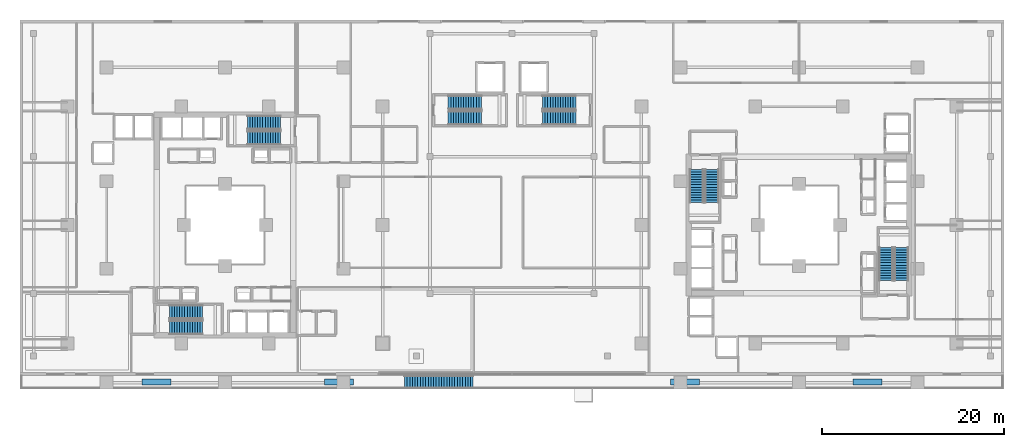
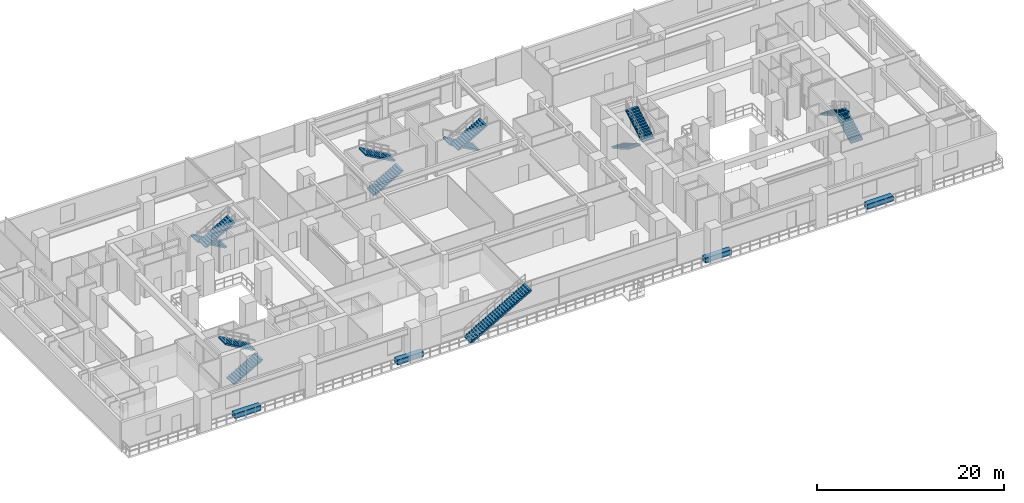
# One storey, part 18 of 22: 13 stair flights, 4 discrete accessories, 7 elements without a shape of their own.
"""IFC4 building model written with IfcOpenShell, lengths in metres."""

from ifc_helpers import new_model, si_unit, direction, frame, origin, origin_2d, place, context, subcontext, project, spatial, polyline, rectangle, outline, extrude, material, type_object, element, aggregate, save


model = new_model("IFC4")

# Units and contexts
model_context = context("Model", 3, precision=1e-05, world=origin(), true_north=direction((0.0, 1.0)))
body_context = subcontext(model_context, "Body", "Model", "MODEL_VIEW")
ifc_project = project(units=[si_unit("LENGTHUNIT", "METRE"), si_unit("AREAUNIT", "SQUARE_METRE"), si_unit("VOLUMEUNIT", "CUBIC_METRE"), si_unit("PLANEANGLEUNIT", "RADIAN"), si_unit("MASSUNIT", "GRAM", prefix="KILO")], contexts=[model_context])

# Site, building, storey
site_placement = place(None, origin())
site = spatial("IfcSite", under=ifc_project, at=site_placement, CompositionType="ELEMENT")
building_placement = place(site_placement, origin())
building = spatial("IfcBuilding", under=site, at=building_placement, Name="Thornwick Lancets Civic Towers", CompositionType="ELEMENT")
storey_placement = place(building_placement, frame((0.0, 0.0, 18.60009765625)))
storey = spatial("IfcBuildingStorey", under=building, at=storey_placement, Name="L04", CompositionType="ELEMENT", Elevation=18.60009765625)

# Stair, stair flights
ifc_material_1 = material(Name="Concrete C40/50", Category="concrete")
stair_type_1 = type_object("IfcStairType", Name="STAIR_DL_4500", PredefinedType="HALF_TURN_STAIR", material=ifc_material_1)
stair_1_placement = place(storey_placement, origin())
stair_1 = element("IfcStair", 1, at=stair_1_placement, inside=storey, type_object=stair_type_1, Name="L04 Tower A South Exit Stair ST-A1", PredefinedType="HALF_TURN_STAIR")
stair_flight_type_1 = type_object("IfcStairFlightType", Name="FLIGHT_4500", PredefinedType="STRAIGHT", material=ifc_material_1)
stair_flight_1_placement = place(storey_placement, frame((19.39990234375, 15.75, 0.0), z_axis=(0.0, 0.0, 1.0), x_axis=(1.0, 0.0, 0.0)))
stair_flight_1 = element("IfcStairFlight", 2, at=stair_flight_1_placement, type_object=stair_flight_type_1, Name="ST-A1 flight 1", NumberOfRisers=14, NumberOfTreads=13, PredefinedType="STRAIGHT", RiserHeight=0.160714286, TreadLength=0.28, context=body_context, shape_type="SweptSolid", body=[
    extrude(outline(polyline([(0.0, 0.0), (0.0, 0.16064453125), (0.280029296875, 0.16064453125), (0.280029296875, 0.321533203125), (0.56005859375, 0.321533203125), (0.56005859375, 0.482177734375), (0.840087890625, 0.482177734375), (0.840087890625, 0.642822265625), (1.1201171875, 0.642822265625), (1.1201171875, 0.803466796875), (1.39990234375, 0.803466796875), (1.39990234375, 0.96435546875), (1.679931640625, 0.96435546875), (1.679931640625, 1.125), (1.9599609375, 1.125), (1.9599609375, 1.28564453125), (2.239990234375, 1.28564453125), (2.239990234375, 1.446533203125), (2.52001953125, 1.446533203125), (2.52001953125, 1.607177734375), (2.800048828125, 1.607177734375), (2.800048828125, 1.767822265625), (3.080078125, 1.767822265625), (3.080078125, 1.928466796875), (3.360107421875, 1.928466796875), (3.360107421875, 2.08935546875), (3.639892578125, 2.08935546875), (3.639892578125, 2.25), (3.639892578125, 1.91650390625), (0.301025390625, 0.0), (0.0, 0.0)])), frame((0.0, 0.75, 0.0), z_axis=(0.0, -1.0, 0.0), x_axis=(1.0, 0.0, 0.0)), (0.0, 0.0, 1.0), 1.5),
])
stair_flight_2_placement = place(storey_placement, frame((23.0400390625, 17.449951171875, 2.25), z_axis=(0.0, 0.0, 1.0), x_axis=(-1.0, 0.0, 0.0)))
stair_flight_2 = element("IfcStairFlight", 3, at=stair_flight_2_placement, type_object=stair_flight_type_1, Name="ST-A1 flight 2", NumberOfRisers=14, NumberOfTreads=13, PredefinedType="STRAIGHT", RiserHeight=0.160714286, TreadLength=0.28, context=body_context, shape_type="SweptSolid", body=[
    extrude(outline(polyline([(0.0, 0.0), (0.0, 0.16064453125), (0.280029296875, 0.16064453125), (0.280029296875, 0.321533203125), (0.56005859375, 0.321533203125), (0.56005859375, 0.482177734375), (0.840087890625, 0.482177734375), (0.840087890625, 0.642822265625), (1.1201171875, 0.642822265625), (1.1201171875, 0.803466796875), (1.39990234375, 0.803466796875), (1.39990234375, 0.96435546875), (1.679931640625, 0.96435546875), (1.679931640625, 1.125), (1.9599609375, 1.125), (1.9599609375, 1.28564453125), (2.239990234375, 1.28564453125), (2.239990234375, 1.446533203125), (2.52001953125, 1.446533203125), (2.52001953125, 1.607177734375), (2.800048828125, 1.607177734375), (2.800048828125, 1.767822265625), (3.080078125, 1.767822265625), (3.080078125, 1.928466796875), (3.360107421875, 1.928466796875), (3.360107421875, 2.08935546875), (3.639892578125, 2.08935546875), (3.639892578125, 2.25), (3.639892578125, 1.91650390625), (0.301025390625, 0.0), (0.0, 0.0)])), frame((0.0, 0.75, 0.0), z_axis=(0.0, -1.0, 0.0), x_axis=(1.0, 0.0, 0.0)), (0.0, 0.0, 1.0), 1.5),
])
aggregate(stair_1, [stair_flight_1, stair_flight_2])

stair_2_placement = place(storey_placement, origin())
stair_2 = element("IfcStair", 4, at=stair_2_placement, inside=storey, type_object=stair_type_1, Name="L04 Tower A North Exit Stair ST-A2", PredefinedType="HALF_TURN_STAIR")
stair_flight_3_placement = place(storey_placement, frame((31.60009765625, 38.25, 0.0), z_axis=(0.0, 0.0, 1.0), x_axis=(-1.0, 0.0, 0.0)))
stair_flight_3 = element("IfcStairFlight", 5, at=stair_flight_3_placement, type_object=stair_flight_type_1, Name="ST-A2 flight 1", NumberOfRisers=14, NumberOfTreads=13, PredefinedType="STRAIGHT", RiserHeight=0.160714286, TreadLength=0.28, context=body_context, shape_type="SweptSolid", body=[
    extrude(outline(polyline([(0.0, 0.0), (0.0, 0.16064453125), (0.280029296875, 0.16064453125), (0.280029296875, 0.321533203125), (0.56005859375, 0.321533203125), (0.56005859375, 0.482177734375), (0.840087890625, 0.482177734375), (0.840087890625, 0.642822265625), (1.1201171875, 0.642822265625), (1.1201171875, 0.803466796875), (1.39990234375, 0.803466796875), (1.39990234375, 0.96435546875), (1.679931640625, 0.96435546875), (1.679931640625, 1.125), (1.9599609375, 1.125), (1.9599609375, 1.28564453125), (2.239990234375, 1.28564453125), (2.239990234375, 1.446533203125), (2.52001953125, 1.446533203125), (2.52001953125, 1.607177734375), (2.800048828125, 1.607177734375), (2.800048828125, 1.767822265625), (3.080078125, 1.767822265625), (3.080078125, 1.928466796875), (3.360107421875, 1.928466796875), (3.360107421875, 2.08935546875), (3.639892578125, 2.08935546875), (3.639892578125, 2.25), (3.639892578125, 1.91650390625), (0.301025390625, 0.0), (0.0, 0.0)])), frame((0.0, 0.75, 0.0), z_axis=(0.0, -1.0, 0.0), x_axis=(1.0, 0.0, 0.0)), (0.0, 0.0, 1.0), 1.5),
])
stair_flight_4_placement = place(storey_placement, frame((27.9599609375, 36.550048828125, 2.25), z_axis=(0.0, 0.0, 1.0), x_axis=(1.0, 0.0, 0.0)))
stair_flight_4 = element("IfcStairFlight", 6, at=stair_flight_4_placement, type_object=stair_flight_type_1, Name="ST-A2 flight 2", NumberOfRisers=14, NumberOfTreads=13, PredefinedType="STRAIGHT", RiserHeight=0.160714286, TreadLength=0.28, context=body_context, shape_type="SweptSolid", body=[
    extrude(outline(polyline([(0.0, 0.0), (0.0, 0.16064453125), (0.280029296875, 0.16064453125), (0.280029296875, 0.321533203125), (0.56005859375, 0.321533203125), (0.56005859375, 0.482177734375), (0.840087890625, 0.482177734375), (0.840087890625, 0.642822265625), (1.1201171875, 0.642822265625), (1.1201171875, 0.803466796875), (1.39990234375, 0.803466796875), (1.39990234375, 0.96435546875), (1.679931640625, 0.96435546875), (1.679931640625, 1.125), (1.9599609375, 1.125), (1.9599609375, 1.28564453125), (2.239990234375, 1.28564453125), (2.239990234375, 1.446533203125), (2.52001953125, 1.446533203125), (2.52001953125, 1.607177734375), (2.800048828125, 1.607177734375), (2.800048828125, 1.767822265625), (3.080078125, 1.767822265625), (3.080078125, 1.928466796875), (3.360107421875, 1.928466796875), (3.360107421875, 2.08935546875), (3.639892578125, 2.08935546875), (3.639892578125, 2.25), (3.639892578125, 1.91650390625), (0.301025390625, 0.0), (0.0, 0.0)])), frame((0.0, 0.75, 0.0), z_axis=(0.0, -1.0, 0.0), x_axis=(1.0, 0.0, 0.0)), (0.0, 0.0, 1.0), 1.5),
])
aggregate(stair_2, [stair_flight_3, stair_flight_4])

stair_3_placement = place(storey_placement, origin())
stair_3 = element("IfcStair", 7, at=stair_3_placement, inside=storey, type_object=stair_type_1, Name="L04 Tower B East Exit Stair ST-B1", PredefinedType="HALF_TURN_STAIR")
stair_flight_5_placement = place(storey_placement, frame((99.75, 20.89990234375, 0.0), z_axis=(0.0, 0.0, 1.0), x_axis=(0.0, 1.0, 0.0)))
stair_flight_5 = element("IfcStairFlight", 8, at=stair_flight_5_placement, type_object=stair_flight_type_1, Name="ST-B1 flight 1", NumberOfRisers=14, NumberOfTreads=13, PredefinedType="STRAIGHT", RiserHeight=0.160714286, TreadLength=0.28, context=body_context, shape_type="SweptSolid", body=[
    extrude(outline(polyline([(0.0, 0.0), (0.0, 0.16064453125), (0.280029296875, 0.16064453125), (0.280029296875, 0.321533203125), (0.56005859375, 0.321533203125), (0.56005859375, 0.482177734375), (0.840087890625, 0.482177734375), (0.840087890625, 0.642822265625), (1.1201171875, 0.642822265625), (1.1201171875, 0.803466796875), (1.39990234375, 0.803466796875), (1.39990234375, 0.96435546875), (1.679931640625, 0.96435546875), (1.679931640625, 1.125), (1.9599609375, 1.125), (1.9599609375, 1.28564453125), (2.239990234375, 1.28564453125), (2.239990234375, 1.446533203125), (2.52001953125, 1.446533203125), (2.52001953125, 1.607177734375), (2.800048828125, 1.607177734375), (2.800048828125, 1.767822265625), (3.080078125, 1.767822265625), (3.080078125, 1.928466796875), (3.360107421875, 1.928466796875), (3.360107421875, 2.08935546875), (3.639892578125, 2.08935546875), (3.639892578125, 2.25), (3.639892578125, 1.91650390625), (0.301025390625, 0.0), (0.0, 0.0)])), frame((0.0, 0.75, 0.0), z_axis=(0.0, -1.0, 0.0), x_axis=(1.0, 0.0, 0.0)), (0.0, 0.0, 1.0), 1.5),
])
stair_flight_6_placement = place(storey_placement, frame((98.050048828125, 24.5400390625, 2.25), z_axis=(0.0, 0.0, 1.0), x_axis=(0.0, -1.0, 0.0)))
stair_flight_6 = element("IfcStairFlight", 9, at=stair_flight_6_placement, type_object=stair_flight_type_1, Name="ST-B1 flight 2", NumberOfRisers=14, NumberOfTreads=13, PredefinedType="STRAIGHT", RiserHeight=0.160714286, TreadLength=0.28, context=body_context, shape_type="SweptSolid", body=[
    extrude(outline(polyline([(0.0, 0.0), (0.0, 0.16064453125), (0.280029296875, 0.16064453125), (0.280029296875, 0.321533203125), (0.56005859375, 0.321533203125), (0.56005859375, 0.482177734375), (0.840087890625, 0.482177734375), (0.840087890625, 0.642822265625), (1.1201171875, 0.642822265625), (1.1201171875, 0.803466796875), (1.39990234375, 0.803466796875), (1.39990234375, 0.96435546875), (1.679931640625, 0.96435546875), (1.679931640625, 1.125), (1.9599609375, 1.125), (1.9599609375, 1.28564453125), (2.239990234375, 1.28564453125), (2.239990234375, 1.446533203125), (2.52001953125, 1.446533203125), (2.52001953125, 1.607177734375), (2.800048828125, 1.607177734375), (2.800048828125, 1.767822265625), (3.080078125, 1.767822265625), (3.080078125, 1.928466796875), (3.360107421875, 1.928466796875), (3.360107421875, 2.08935546875), (3.639892578125, 2.08935546875), (3.639892578125, 2.25), (3.639892578125, 1.91650390625), (0.301025390625, 0.0), (0.0, 0.0)])), frame((0.0, 0.75, 0.0), z_axis=(0.0, -1.0, 0.0), x_axis=(1.0, 0.0, 0.0)), (0.0, 0.0, 1.0), 1.5),
])
aggregate(stair_3, [stair_flight_5, stair_flight_6])

stair_4_placement = place(storey_placement, origin())
stair_4 = element("IfcStair", 10, at=stair_4_placement, inside=storey, type_object=stair_type_1, Name="L04 Tower B West Exit Stair ST-B2", PredefinedType="HALF_TURN_STAIR")
stair_flight_7_placement = place(storey_placement, frame((77.25, 33.10009765625, 0.0), z_axis=(0.0, 0.0, 1.0), x_axis=(0.0, -1.0, 0.0)))
stair_flight_7 = element("IfcStairFlight", 11, at=stair_flight_7_placement, type_object=stair_flight_type_1, Name="ST-B2 flight 1", NumberOfRisers=14, NumberOfTreads=13, PredefinedType="STRAIGHT", RiserHeight=0.160714286, TreadLength=0.28, context=body_context, shape_type="SweptSolid", body=[
    extrude(outline(polyline([(0.0, 0.0), (0.0, 0.16064453125), (0.280029296875, 0.16064453125), (0.280029296875, 0.321533203125), (0.56005859375, 0.321533203125), (0.56005859375, 0.482177734375), (0.840087890625, 0.482177734375), (0.840087890625, 0.642822265625), (1.1201171875, 0.642822265625), (1.1201171875, 0.803466796875), (1.39990234375, 0.803466796875), (1.39990234375, 0.96435546875), (1.679931640625, 0.96435546875), (1.679931640625, 1.125), (1.9599609375, 1.125), (1.9599609375, 1.28564453125), (2.239990234375, 1.28564453125), (2.239990234375, 1.446533203125), (2.52001953125, 1.446533203125), (2.52001953125, 1.607177734375), (2.800048828125, 1.607177734375), (2.800048828125, 1.767822265625), (3.080078125, 1.767822265625), (3.080078125, 1.928466796875), (3.360107421875, 1.928466796875), (3.360107421875, 2.08935546875), (3.639892578125, 2.08935546875), (3.639892578125, 2.25), (3.639892578125, 1.91650390625), (0.301025390625, 0.0), (0.0, 0.0)])), frame((0.0, 0.75, 0.0), z_axis=(0.0, -1.0, 0.0), x_axis=(1.0, 0.0, 0.0)), (0.0, 0.0, 1.0), 1.5),
])
stair_flight_8_placement = place(storey_placement, frame((78.949951171875, 29.4599609375, 2.25), z_axis=(0.0, 0.0, 1.0), x_axis=(0.0, 1.0, 0.0)))
stair_flight_8 = element("IfcStairFlight", 12, at=stair_flight_8_placement, type_object=stair_flight_type_1, Name="ST-B2 flight 2", NumberOfRisers=14, NumberOfTreads=13, PredefinedType="STRAIGHT", RiserHeight=0.160714286, TreadLength=0.28, context=body_context, shape_type="SweptSolid", body=[
    extrude(outline(polyline([(0.0, 0.0), (0.0, 0.16064453125), (0.280029296875, 0.16064453125), (0.280029296875, 0.321533203125), (0.56005859375, 0.321533203125), (0.56005859375, 0.482177734375), (0.840087890625, 0.482177734375), (0.840087890625, 0.642822265625), (1.1201171875, 0.642822265625), (1.1201171875, 0.803466796875), (1.39990234375, 0.803466796875), (1.39990234375, 0.96435546875), (1.679931640625, 0.96435546875), (1.679931640625, 1.125), (1.9599609375, 1.125), (1.9599609375, 1.28564453125), (2.239990234375, 1.28564453125), (2.239990234375, 1.446533203125), (2.52001953125, 1.446533203125), (2.52001953125, 1.607177734375), (2.800048828125, 1.607177734375), (2.800048828125, 1.767822265625), (3.080078125, 1.767822265625), (3.080078125, 1.928466796875), (3.360107421875, 1.928466796875), (3.360107421875, 2.08935546875), (3.639892578125, 2.08935546875), (3.639892578125, 2.25), (3.639892578125, 1.91650390625), (0.301025390625, 0.0), (0.0, 0.0)])), frame((0.0, 0.75, 0.0), z_axis=(0.0, -1.0, 0.0), x_axis=(1.0, 0.0, 0.0)), (0.0, 0.0, 1.0), 1.5),
])
aggregate(stair_4, [stair_flight_7, stair_flight_8])

stair_5_placement = place(storey_placement, origin())
stair_5 = element("IfcStair", 13, at=stair_5_placement, inside=storey, type_object=stair_type_1, Name="L04 Podium Central West Exit Stair ST-P5", PredefinedType="HALF_TURN_STAIR")
stair_flight_9_placement = place(storey_placement, frame((50.0, 38.75, 0.0), z_axis=(0.0, 0.0, 1.0), x_axis=(1.0, 0.0, 0.0)))
stair_flight_9 = element("IfcStairFlight", 14, at=stair_flight_9_placement, type_object=stair_flight_type_1, Name="ST-P5 flight 1", NumberOfRisers=14, NumberOfTreads=13, PredefinedType="STRAIGHT", RiserHeight=0.160714286, TreadLength=0.28, context=body_context, shape_type="SweptSolid", body=[
    extrude(outline(polyline([(0.0, 0.0), (0.0, 0.16064453125), (0.280029296875, 0.16064453125), (0.280029296875, 0.321533203125), (0.56005859375, 0.321533203125), (0.56005859375, 0.482177734375), (0.840087890625, 0.482177734375), (0.840087890625, 0.642822265625), (1.1201171875, 0.642822265625), (1.1201171875, 0.803466796875), (1.39990234375, 0.803466796875), (1.39990234375, 0.96435546875), (1.679931640625, 0.96435546875), (1.679931640625, 1.125), (1.9599609375, 1.125), (1.9599609375, 1.28564453125), (2.239990234375, 1.28564453125), (2.239990234375, 1.446533203125), (2.52001953125, 1.446533203125), (2.52001953125, 1.607177734375), (2.800048828125, 1.607177734375), (2.800048828125, 1.767822265625), (3.080078125, 1.767822265625), (3.080078125, 1.928466796875), (3.360107421875, 1.928466796875), (3.360107421875, 2.08935546875), (3.639892578125, 2.08935546875), (3.639892578125, 2.25), (3.639892578125, 1.91650390625), (0.301025390625, 0.0), (0.0, 0.0)])), frame((0.0, 0.75, 0.0), z_axis=(0.0, -1.0, 0.0), x_axis=(1.0, 0.0, 0.0)), (0.0, 0.0, 1.0), 1.5),
])
stair_flight_10_placement = place(storey_placement, frame((53.639892578125, 40.449951171875, 2.25), z_axis=(0.0, 0.0, 1.0), x_axis=(-1.0, 0.0, 0.0)))
stair_flight_10 = element("IfcStairFlight", 15, at=stair_flight_10_placement, type_object=stair_flight_type_1, Name="ST-P5 flight 2", NumberOfRisers=14, NumberOfTreads=13, PredefinedType="STRAIGHT", RiserHeight=0.160714286, TreadLength=0.28, context=body_context, shape_type="SweptSolid", body=[
    extrude(outline(polyline([(0.0, 0.0), (0.0, 0.16064453125), (0.280029296875, 0.16064453125), (0.280029296875, 0.321533203125), (0.56005859375, 0.321533203125), (0.56005859375, 0.482177734375), (0.840087890625, 0.482177734375), (0.840087890625, 0.642822265625), (1.1201171875, 0.642822265625), (1.1201171875, 0.803466796875), (1.39990234375, 0.803466796875), (1.39990234375, 0.96435546875), (1.679931640625, 0.96435546875), (1.679931640625, 1.125), (1.9599609375, 1.125), (1.9599609375, 1.28564453125), (2.239990234375, 1.28564453125), (2.239990234375, 1.446533203125), (2.52001953125, 1.446533203125), (2.52001953125, 1.607177734375), (2.800048828125, 1.607177734375), (2.800048828125, 1.767822265625), (3.080078125, 1.767822265625), (3.080078125, 1.928466796875), (3.360107421875, 1.928466796875), (3.360107421875, 2.08935546875), (3.639892578125, 2.08935546875), (3.639892578125, 2.25), (3.639892578125, 1.91650390625), (0.301025390625, 0.0), (0.0, 0.0)])), frame((0.0, 0.75, 0.0), z_axis=(0.0, -1.0, 0.0), x_axis=(1.0, 0.0, 0.0)), (0.0, 0.0, 1.0), 1.5),
])
aggregate(stair_5, [stair_flight_9, stair_flight_10])

stair_6_placement = place(storey_placement, origin())
stair_6 = element("IfcStair", 16, at=stair_6_placement, inside=storey, type_object=stair_type_1, Name="L04 Podium Central East Exit Stair ST-P6", PredefinedType="HALF_TURN_STAIR")
stair_flight_11_placement = place(storey_placement, frame((64.0, 40.449951171875, 0.0), z_axis=(0.0, 0.0, 1.0), x_axis=(-1.0, 0.0, 0.0)))
stair_flight_11 = element("IfcStairFlight", 17, at=stair_flight_11_placement, type_object=stair_flight_type_1, Name="ST-P6 flight 1", NumberOfRisers=14, NumberOfTreads=13, PredefinedType="STRAIGHT", RiserHeight=0.160714286, TreadLength=0.28, context=body_context, shape_type="SweptSolid", body=[
    extrude(outline(polyline([(0.0, 0.0), (0.0, 0.16064453125), (0.280029296875, 0.16064453125), (0.280029296875, 0.321533203125), (0.56005859375, 0.321533203125), (0.56005859375, 0.482177734375), (0.840087890625, 0.482177734375), (0.840087890625, 0.642822265625), (1.1201171875, 0.642822265625), (1.1201171875, 0.803466796875), (1.39990234375, 0.803466796875), (1.39990234375, 0.96435546875), (1.679931640625, 0.96435546875), (1.679931640625, 1.125), (1.9599609375, 1.125), (1.9599609375, 1.28564453125), (2.239990234375, 1.28564453125), (2.239990234375, 1.446533203125), (2.52001953125, 1.446533203125), (2.52001953125, 1.607177734375), (2.800048828125, 1.607177734375), (2.800048828125, 1.767822265625), (3.080078125, 1.767822265625), (3.080078125, 1.928466796875), (3.360107421875, 1.928466796875), (3.360107421875, 2.08935546875), (3.639892578125, 2.08935546875), (3.639892578125, 2.25), (3.639892578125, 1.91650390625), (0.301025390625, 0.0), (0.0, 0.0)])), frame((0.0, 0.75, 0.0), z_axis=(0.0, -1.0, 0.0), x_axis=(1.0, 0.0, 0.0)), (0.0, 0.0, 1.0), 1.5),
])
stair_flight_12_placement = place(storey_placement, frame((60.360107421875, 38.75, 2.25), z_axis=(0.0, 0.0, 1.0), x_axis=(1.0, 0.0, 0.0)))
stair_flight_12 = element("IfcStairFlight", 18, at=stair_flight_12_placement, type_object=stair_flight_type_1, Name="ST-P6 flight 2", NumberOfRisers=14, NumberOfTreads=13, PredefinedType="STRAIGHT", RiserHeight=0.160714286, TreadLength=0.28, context=body_context, shape_type="SweptSolid", body=[
    extrude(outline(polyline([(0.0, 0.0), (0.0, 0.16064453125), (0.280029296875, 0.16064453125), (0.280029296875, 0.321533203125), (0.56005859375, 0.321533203125), (0.56005859375, 0.482177734375), (0.840087890625, 0.482177734375), (0.840087890625, 0.642822265625), (1.1201171875, 0.642822265625), (1.1201171875, 0.803466796875), (1.39990234375, 0.803466796875), (1.39990234375, 0.96435546875), (1.679931640625, 0.96435546875), (1.679931640625, 1.125), (1.9599609375, 1.125), (1.9599609375, 1.28564453125), (2.239990234375, 1.28564453125), (2.239990234375, 1.446533203125), (2.52001953125, 1.446533203125), (2.52001953125, 1.607177734375), (2.800048828125, 1.607177734375), (2.800048828125, 1.767822265625), (3.080078125, 1.767822265625), (3.080078125, 1.928466796875), (3.360107421875, 1.928466796875), (3.360107421875, 2.08935546875), (3.639892578125, 2.08935546875), (3.639892578125, 2.25), (3.639892578125, 1.91650390625), (0.301025390625, 0.0), (0.0, 0.0)])), frame((0.0, 0.75, 0.0), z_axis=(0.0, -1.0, 0.0), x_axis=(1.0, 0.0, 0.0)), (0.0, 0.0, 1.0), 1.5),
])
aggregate(stair_6, [stair_flight_11, stair_flight_12])

# Stair, stair flight
ifc_material_2 = material(Name="Granite-faced concrete C40/50", Category="masonry")
stair_type_2 = type_object("IfcStairType", Name="STAIR_CASCADE", PredefinedType="STRAIGHT_RUN_STAIR", material=ifc_material_2)
stair_7_placement = place(storey_placement, origin())
stair_7 = element("IfcStair", 19, at=stair_7_placement, inside=storey, type_object=stair_type_2, Name="L04 Cascading Garden Stair 5", PredefinedType="STRAIGHT_RUN_STAIR")
stair_flight_type_2 = type_object("IfcStairFlightType", Name="FLIGHT_CASCADE", PredefinedType="STRAIGHT", material=ifc_material_2)
stair_flight_13_placement = place(storey_placement, frame((45.199951171875, 9.760009765625, 0.0), z_axis=(0.0, 0.0, 1.0), x_axis=(1.0, 0.0, 0.0)))
stair_flight_13 = element("IfcStairFlight", 20, at=stair_flight_13_placement, type_object=stair_flight_type_2, Name="STC-5 flight 1", NumberOfRisers=27, NumberOfTreads=26, PredefinedType="STRAIGHT", RiserHeight=0.166667, TreadLength=0.29, context=body_context, shape_type="SweptSolid", body=[
    extrude(outline(polyline([(0.0, 0.0), (0.0, 0.166748046875), (0.2900390625, 0.166748046875), (0.2900390625, 0.333251953125), (0.580078125, 0.333251953125), (0.580078125, 0.5), (0.8701171875, 0.5), (0.8701171875, 0.666748046875), (1.159912109375, 0.666748046875), (1.159912109375, 0.833251953125), (1.449951171875, 0.833251953125), (1.449951171875, 1.0), (1.739990234375, 1.0), (1.739990234375, 1.166748046875), (2.030029296875, 1.166748046875), (2.030029296875, 1.333251953125), (2.320068359375, 1.333251953125), (2.320068359375, 1.5), (2.610107421875, 1.5), (2.610107421875, 1.666748046875), (2.89990234375, 1.666748046875), (2.89990234375, 1.833251953125), (3.18994140625, 1.833251953125), (3.18994140625, 2.0), (3.47998046875, 2.0), (3.47998046875, 2.166748046875), (3.77001953125, 2.166748046875), (3.77001953125, 2.333251953125), (4.06005859375, 2.333251953125), (4.06005859375, 2.5), (4.35009765625, 2.5), (4.35009765625, 2.666748046875), (4.639892578125, 2.666748046875), (4.639892578125, 2.833251953125), (4.929931640625, 2.833251953125), (4.929931640625, 3.0), (5.219970703125, 3.0), (5.219970703125, 3.166748046875), (5.510009765625, 3.166748046875), (5.510009765625, 3.333251953125), (5.800048828125, 3.333251953125), (5.800048828125, 3.5), (6.090087890625, 3.5), (6.090087890625, 3.666748046875), (6.3798828125, 3.666748046875), (6.3798828125, 3.833251953125), (6.669921875, 3.833251953125), (6.669921875, 4.0), (6.9599609375, 4.0), (6.9599609375, 4.166748046875), (7.25, 4.166748046875), (7.25, 4.333251953125), (7.5400390625, 4.333251953125), (7.5400390625, 4.5), (7.5400390625, 4.125732421875), (0.361083984375, 0.0), (0.0, 0.0)])), frame((0.0, 0.68994140625, 0.0), z_axis=(0.0, -1.0, 0.0), x_axis=(1.0, 0.0, 0.0)), (0.0, 0.0, 1.0), 1.3798828125),
])
aggregate(stair_7, [stair_flight_13])

# Discrete accessories
ifc_material_3 = material(Name="Planted terracotta greenery planter", Category="masonry")
discrete_accessory_type = type_object("IfcDiscreteAccessoryType", Name="ACC_PLANTER_BOX", PredefinedType="USERDEFINED", material=ifc_material_3)
for number, where, z_axis, x_axis, name in (
    (21, (18.0, 9.75, 0.0), (0.0, 0.0, 1.0), (1.0, 0.0, 0.0), "L04 Cascading Terrace Planter 18"),
    (22, (38.0, 9.75, 0.0), (0.0, 0.0, 1.0), (1.0, 0.0, 0.0), "L04 Cascading Terrace Planter 38"),
    (23, (76.0, 9.75, 0.0), (0.0, 0.0, 1.0), (1.0, 0.0, 0.0), "L04 Cascading Terrace Planter 76"),
    (24, (96.0, 9.75, 0.0), (0.0, 0.0, 1.0), (1.0, 0.0, 0.0), "L04 Cascading Terrace Planter 96"),
):
    element("IfcDiscreteAccessory", number, at=place(storey_placement, frame(where, z_axis=z_axis, x_axis=x_axis)), inside=storey, type_object=discrete_accessory_type, Name=name, ObjectType="PLANTER", PredefinedType="USERDEFINED", context=body_context, shape_type="SweptSolid", body=[
        extrude(rectangle(XDim=3.199951171875, YDim=0.64990234375, at=origin_2d()), origin(), (0.0, 0.0, 1.0), 0.64990234375),
    ])

save(model, "model.ifc")
